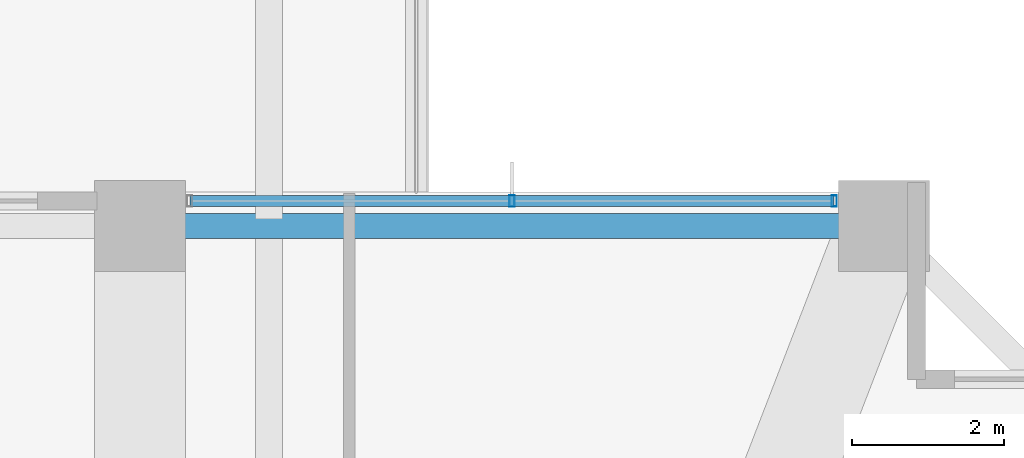
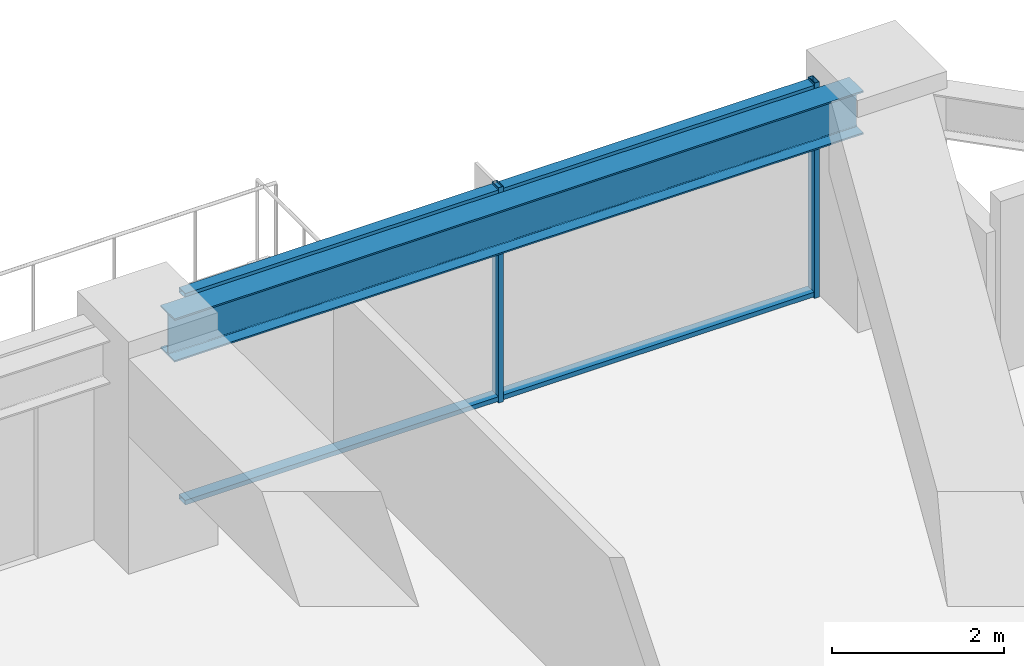
# One storey, part 26 of 39: 4 members, 1 beam, 1 element without a shape of its own.
"""IFC4 building model written with IfcOpenShell, lengths in metres."""

from ifc_helpers import new_model, si_unit, direction, frame, origin, origin_2d, place, context, subcontext, project, spatial, hollow_rectangle, i_section, extrude, material, material_profile, profile_set, type_object, element, aggregate, save


model = new_model("IFC4")

# Units and contexts
model_context = context("Model", 3, precision=1e-05, world=origin(), true_north=direction((0.0, 1.0)))
body_context = subcontext(model_context, "Body", "Model", "MODEL_VIEW")
ifc_project = project(units=[si_unit("LENGTHUNIT", "METRE"), si_unit("AREAUNIT", "SQUARE_METRE"), si_unit("VOLUMEUNIT", "CUBIC_METRE"), si_unit("PLANEANGLEUNIT", "RADIAN"), si_unit("MASSUNIT", "GRAM", prefix="KILO")], contexts=[model_context])

# Site, building, storey
site_placement = place(None, origin())
site = spatial("IfcSite", under=ifc_project, at=site_placement, CompositionType="ELEMENT")
building_placement = place(site_placement, origin())
building = spatial("IfcBuilding", under=site, at=building_placement, Name="Kolvaren Belvedere", CompositionType="ELEMENT")
storey_placement = place(building_placement, frame((0.0, 0.0, 33.699951171875)))
storey = spatial("IfcBuildingStorey", under=building, at=storey_placement, Name="L09", CompositionType="ELEMENT", Elevation=33.699951171875)

# Beam
ifc_material_1 = material(Name="Structural steel ASTM A992 Grade 50", Category="steel")
ifc_material_profile_1 = material_profile(ifc_material_1, i_section(OverallWidth=0.324951171875, OverallDepth=0.615966796875, WebThickness=0.013916015625, FlangeThickness=0.021484375, FilletRadius=0.02001953125, at=origin_2d()), Name="W24X117")
ifc_profile_set_1 = profile_set([ifc_material_profile_1], Name="Structural steel ASTM A992 Grade 50")
beam_type = type_object("IfcBeamType", Name="BM-SPAN-W24X117", PredefinedType="SPANDREL", material=ifc_profile_set_1)
beam_placement = place(storey_placement, frame((14.1298828125, 21.550048828125, 2.751953125), z_axis=(-1.0, 0.0, 0.0), x_axis=(0.0, -1.0, 0.0)))
element("IfcBeam", 1, at=beam_placement, inside=storey, type_object=beam_type, Name="L09 Perimeter Spandrel N4-N3", PredefinedType="SPANDREL", context=body_context, shape_type="SweptSolid", body=[
    extrude(i_section(OverallWidth=0.324951171875, OverallDepth=0.615966796875, WebThickness=0.013916015625, FlangeThickness=0.021484375, FilletRadius=0.02001953125, at=origin_2d()), origin(), (0.0, 0.0, 1.0), 9.259765625),
])

# Curtain wall, members
ifc_material_2 = material(Name="Anodised pale-metal aluminium AA 6063-T6", Category="aluminium")
curtain_wall_type = type_object("IfcCurtainWallType", Name="CW-Z1-LOW", PredefinedType="NOTDEFINED", material=ifc_material_2)
curtain_wall_placement = place(storey_placement, origin())
curtain_wall = element("IfcCurtainWall", 2, at=curtain_wall_placement, inside=storey, type_object=curtain_wall_type, Name="L09 Unitised Curtain Wall FCW-L09-N2", PredefinedType="NOTDEFINED")
ifc_material_3 = material(Name="Anodised pale-metal aluminium AA 6063-T6", Category="aluminium")
ifc_material_profile_2 = material_profile(ifc_material_3, hollow_rectangle(XDim=0.070068359375, YDim=0.14990234375, WallThickness=0.004150390625, at=origin_2d()), Name="ALU-MUL-150X70")
ifc_profile_set_2 = profile_set([ifc_material_profile_2], Name="Anodised pale-metal aluminium AA 6063-T6")
member_type_1 = type_object("IfcMemberType", Name="CW-MUL-150", PredefinedType="MULLION", material=ifc_profile_set_2)
member_1_placement = place(storey_placement, frame((9.5, 21.8798828125, 0.0), z_axis=(0.0, 0.0, 1.0), x_axis=(1.0, 0.0, 0.0)))
member_1 = element("IfcMember", 3, at=member_1_placement, type_object=member_type_1, Name="FCW-L09-N2 Unitised Mullion 2", PredefinedType="MULLION", context=body_context, shape_type="SweptSolid", body=[
    extrude(hollow_rectangle(XDim=0.070068359375, YDim=0.14990234375, WallThickness=0.004150390625, at=origin_2d()), origin(), (0.0, 0.0, 1.0), 3.06005859375),
])
member_2_placement = place(storey_placement, frame((13.7451171875, 21.8798828125, 0.0), z_axis=(0.0, 0.0, 1.0), x_axis=(1.0, 0.0, 0.0)))
member_2 = element("IfcMember", 4, at=member_2_placement, type_object=member_type_1, Name="FCW-L09-N2 Unitised Mullion 3", PredefinedType="MULLION", context=body_context, shape_type="SweptSolid", body=[
    extrude(hollow_rectangle(XDim=0.070068359375, YDim=0.14990234375, WallThickness=0.004150390625, at=origin_2d()), origin(), (0.0, 0.0, 1.0), 3.06005859375),
])
ifc_material_4 = material(Name="Anodised pale-metal aluminium AA 6063-T6", Category="aluminium")
ifc_material_profile_3 = material_profile(ifc_material_4, hollow_rectangle(XDim=0.06494140625, YDim=0.14990234375, WallThickness=0.00390625, at=origin_2d()), Name="ALU-TRN-150X65")
ifc_profile_set_3 = profile_set([ifc_material_profile_3], Name="Anodised pale-metal aluminium AA 6063-T6")
member_type_2 = type_object("IfcMemberType", Name="CW-TRN-150", PredefinedType="USERDEFINED", material=ifc_profile_set_3)
member_3_placement = place(storey_placement, frame((5.2548828125, 21.8798828125, 0.06005859375), z_axis=(1.0, 0.0, 0.0), x_axis=(0.0, 0.0, 1.0)))
member_3 = element("IfcMember", 5, at=member_3_placement, type_object=member_type_2, Name="FCW-L09-N2 Sill Transom", ObjectType="TRANSOM", PredefinedType="USERDEFINED", context=body_context, shape_type="SweptSolid", body=[
    extrude(hollow_rectangle(XDim=0.06494140625, YDim=0.14990234375, WallThickness=0.00390625, at=origin_2d()), origin(), (0.0, 0.0, 1.0), 8.490234375),
])
member_4_placement = place(storey_placement, frame((5.2548828125, 21.8798828125, 3.0), z_axis=(1.0, 0.0, 0.0), x_axis=(0.0, 0.0, 1.0)))
member_4 = element("IfcMember", 6, at=member_4_placement, type_object=member_type_2, Name="FCW-L09-N2 Head Transom", ObjectType="TRANSOM", PredefinedType="USERDEFINED", context=body_context, shape_type="SweptSolid", body=[
    extrude(hollow_rectangle(XDim=0.06494140625, YDim=0.14990234375, WallThickness=0.00390625, at=origin_2d()), origin(), (0.0, 0.0, 1.0), 8.490234375),
])
aggregate(curtain_wall, [member_1, member_2, member_3, member_4])

save(model, "model.ifc")
